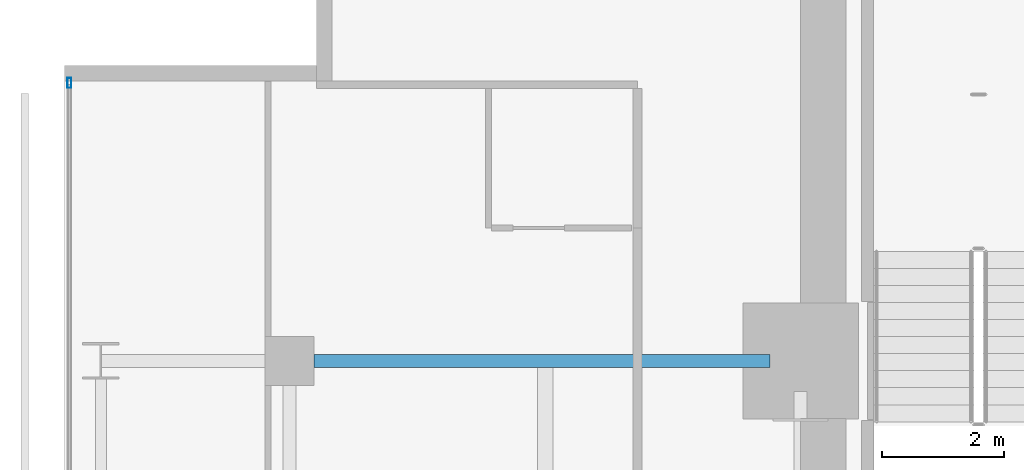
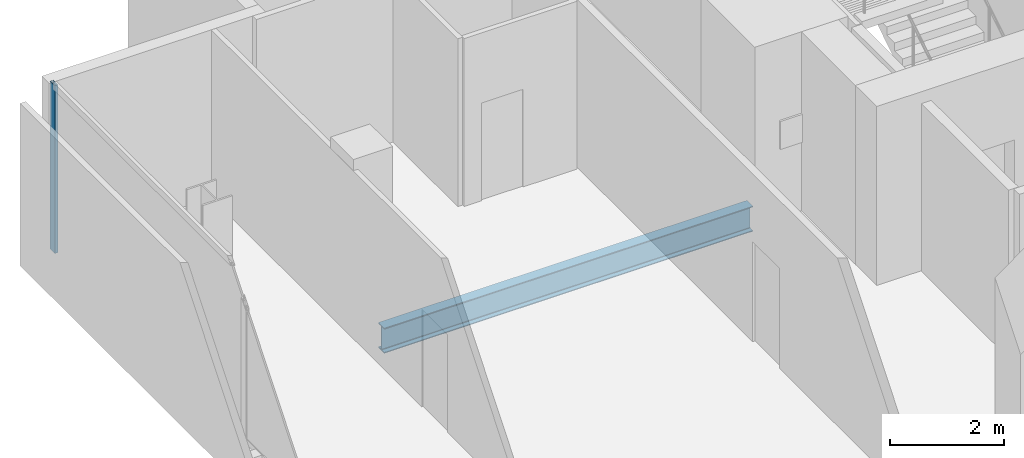
# One storey, part 20 of 33: 1 beam, 1 member, 1 element without a shape of its own.
"""IFC4 building model written with IfcOpenShell, lengths in metres."""

from ifc_helpers import new_model, si_unit, direction, frame, origin, origin_2d, place, context, subcontext, project, spatial, hollow_rectangle, i_section, extrude, material, layer, layer_set, material_profile, profile_set, type_object, element, aggregate, save


model = new_model("IFC4")

# Units and contexts
model_context = context("Model", 3, precision=1e-05, world=origin(), true_north=direction((0.0, 1.0)))
body_context = subcontext(model_context, "Body", "Model", "MODEL_VIEW")
ifc_project = project(units=[si_unit("LENGTHUNIT", "METRE"), si_unit("AREAUNIT", "SQUARE_METRE"), si_unit("VOLUMEUNIT", "CUBIC_METRE"), si_unit("PLANEANGLEUNIT", "RADIAN"), si_unit("MASSUNIT", "GRAM", prefix="KILO")], contexts=[model_context])

# Site, building, storey
site_placement = place(None, origin())
site = spatial("IfcSite", under=ifc_project, at=site_placement, CompositionType="ELEMENT")
building_placement = place(site_placement, origin())
building = spatial("IfcBuilding", under=site, at=building_placement, Name="Maruvema Waterfront Hotel and Observation Tower", CompositionType="ELEMENT")
storey_placement = place(building_placement, frame((0.0, 0.0, 200.550048828125)))
storey = spatial("IfcBuildingStorey", under=building, at=storey_placement, Name="L49", CompositionType="ELEMENT", Elevation=200.550048828125)

# Curtain wall, member
ifc_material_1 = material(Name="Anodised bronze aluminium and solar-control low-E IGU", Category="aluminium")
ifc_layer = layer(ifc_material_1, 0.159912109375, Name="Zone 2 Amber Inner Thermal Curtain Wall System CW-03")
ifc_layer_set = layer_set([ifc_layer], Name="Anodised bronze aluminium and solar-control low-E IGU")
curtain_wall_type = type_object("IfcCurtainWallType", Name="Zone 2 Amber Inner Thermal Curtain Wall System CW-03", PredefinedType="USERDEFINED", material=ifc_layer_set)
curtain_wall_placement = place(storey_placement, origin())
curtain_wall = element("IfcCurtainWall", 1, at=curtain_wall_placement, inside=storey, type_object=curtain_wall_type, Name="L49 Curtain Wall CW-L49-W", ObjectType="UNITISED CURTAIN WALL", PredefinedType="USERDEFINED")
ifc_material_2 = material(Name="Anodised architectural bronze aluminium", Category="aluminium")
ifc_material_profile_1 = material_profile(ifc_material_2, hollow_rectangle(XDim=0.06494140625, YDim=0.1650390625, WallThickness=0.00390625, at=origin_2d()), Name="ALU-M65x165")
ifc_profile_set_1 = profile_set([ifc_material_profile_1], Name="Anodised architectural bronze aluminium")
member_type = type_object("IfcMemberType", Name="Curtain Wall Primary Mullion ALU-M65x165", PredefinedType="MULLION", material=ifc_profile_set_1)
member_placement = place(storey_placement, frame((13.179931640625, 49.570068359375, 0.0), z_axis=(0.0, 0.0, 1.0), x_axis=(1.0, 0.0, 0.0)))
member = element("IfcMember", 2, at=member_placement, type_object=member_type, Name="CW-03 mullion 1", PredefinedType="MULLION", context=body_context, shape_type="SweptSolid", body=[
    extrude(hollow_rectangle(XDim=0.06494140625, YDim=0.1650390625, WallThickness=0.00390625, at=origin_2d()), origin(), (0.0, 0.0, 1.0), 3.60986328125),
])
aggregate(curtain_wall, [member])

# Beam
ifc_material_3 = material(Name="Steel ASTM A572 Grade 50", Category="steel")
ifc_material_profile_2 = material_profile(ifc_material_3, i_section(OverallWidth=0.2109375, OverallDepth=0.5390625, WebThickness=0.01171875, FlangeThickness=0.018798828125, FilletRadius=0.014892578125, at=origin_2d()), Name="W530x109.0")
ifc_profile_set_2 = profile_set([ifc_material_profile_2], Name="Steel ASTM A572 Grade 50")
beam_type = type_object("IfcBeamType", Name="Primary Floor Girder W530x109.0", PredefinedType="BEAM", material=ifc_profile_set_2)
beam_placement = place(storey_placement, frame((17.199951171875, 45.0, -0.509521484375), z_axis=(1.0, 0.0, 0.0), x_axis=(0.0, 1.0, 0.0)))
element("IfcBeam", 3, at=beam_placement, inside=storey, type_object=beam_type, Name="L49 Floor Girder EW-31", PredefinedType="BEAM", context=body_context, shape_type="SweptSolid", body=[
    extrude(i_section(OverallWidth=0.2109375, OverallDepth=0.5390625, WebThickness=0.01171875, FlangeThickness=0.018798828125, FilletRadius=0.014892578125, at=origin_2d()), origin(), (0.0, 0.0, 1.0), 7.5),
])

save(model, "model.ifc")
